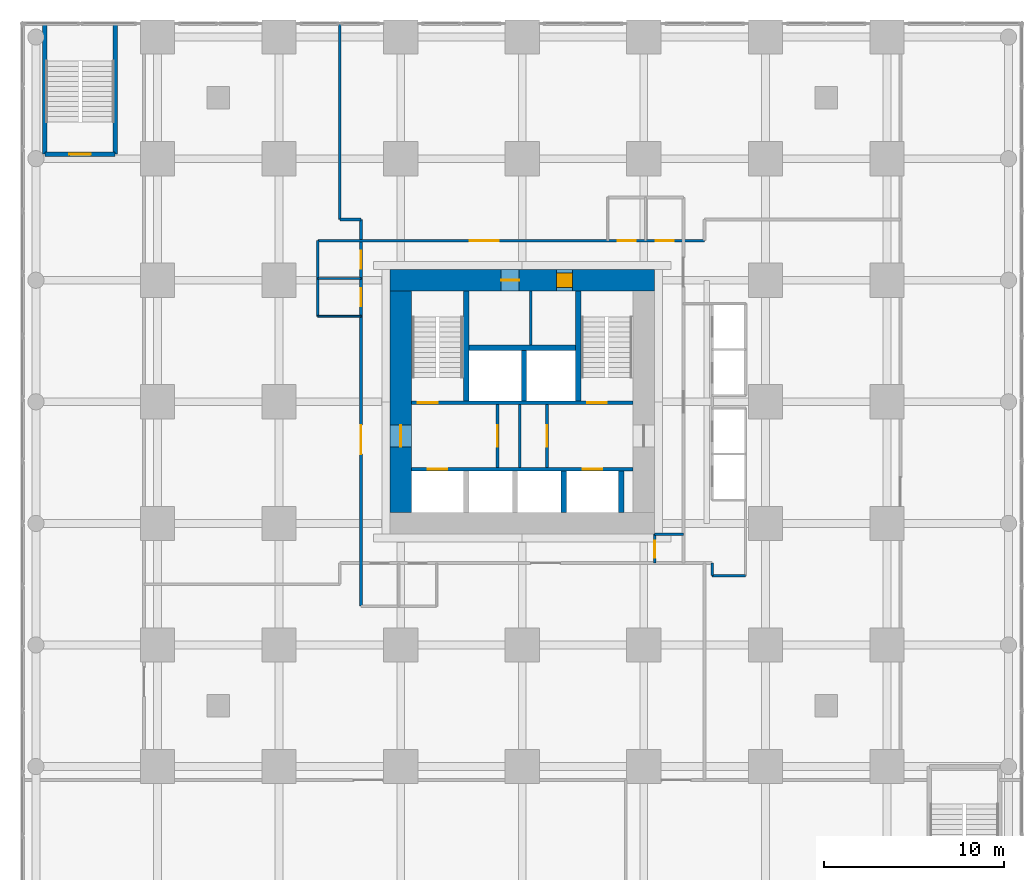
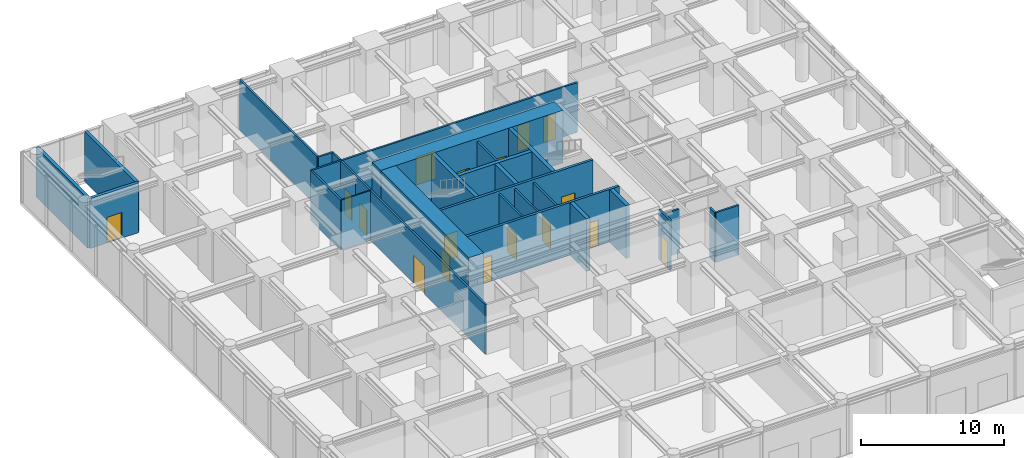
# One storey, part 9 of 11: 28 walls, 17 doors, 17 openings.
"""IFC4 building model written with IfcOpenShell, lengths in metres."""

import ifcopenshell
import ifcopenshell.guid

model = None  # the IFC model being written
_history = None  # IfcOwnerHistory: only IFC2X3 demands one
_inside = {}  # id of a spatial element -> (the spatial element, [elements in it])
_under = {}  # id of a project, library or spatial element -> (it, [spatial elements below it])
_declared = {}  # id of a project -> (the project, [libraries it declares])
_typed = {}  # id of a type object -> (the type object, [elements of that type])
_made_of = {}  # id of a material, layer set ... -> (it, [elements and type objects made of it])


def new_model(schema):
    """Start an empty IFC model of exactly this schema.

    Asked for "IFC4X3", IfcOpenShell would pick the latest addendum, in which some entities
    have other attributes; the version numbers below select the first issue.
    IFC2X3 requires an IfcOwnerHistory on every rooted entity: one is made here for all.
    """
    global model, _history
    if schema == "IFC4X3":
        model = ifcopenshell.file(schema_version=(4, 3, 0, 0))
    else:
        model = ifcopenshell.file(schema=schema)
    _inside.clear()
    _under.clear()
    _declared.clear()
    _typed.clear()
    _made_of.clear()
    _history = None
    if model.schema == "IFC2X3":
        org = make("IfcOrganization", Name="unknown")
        user = make(
            "IfcPersonAndOrganization",
            ThePerson=make("IfcPerson", FamilyName="unknown"),
            TheOrganization=org,
        )
        app = make(
            "IfcApplication",
            ApplicationDeveloper=org,
            Version="unknown",
            ApplicationFullName="unknown",
            ApplicationIdentifier="unknown",
        )
        _history = make(
            "IfcOwnerHistory",
            OwningUser=user,
            OwningApplication=app,
            ChangeAction="ADDED",
            CreationDate=0,
        )
    return model


def make(cls, **values):
    """One entity of the class cls with the attributes given. An attribute that is None is left unset."""
    return model.create_entity(
        cls, **{name: value for name, value in values.items() if value is not None}
    )


def rooted(cls, **values):
    """An entity with a GlobalId (a new one), such as an element, a storey or a relation."""
    return make(cls, GlobalId=ifcopenshell.guid.new(), OwnerHistory=_history, **values)


def si_unit(unit_type, name, prefix=None):
    """IfcSIUnit, for example si_unit("LENGTHUNIT", "METRE", prefix="MILLI")."""
    return make("IfcSIUnit", UnitType=unit_type, Prefix=prefix, Name=name)


def assignment(units):
    """IfcUnitAssignment: the units of a project."""
    return None if units is None else make("IfcUnitAssignment", Units=units)


def point(xyz):
    """IfcCartesianPoint."""
    return None if xyz is None else make("IfcCartesianPoint", Coordinates=xyz)


def direction(xyz):
    """IfcDirection."""
    return None if xyz is None else make("IfcDirection", DirectionRatios=xyz)


def frame(location, z_axis=None, x_axis=None):
    """IfcAxis2Placement3D, a coordinate frame: its origin and axes. An axis left out is left unset."""
    return make(
        "IfcAxis2Placement3D",
        Location=point(location),
        Axis=direction(z_axis),
        RefDirection=direction(x_axis),
    )


def frame_2d(location, x_axis=None):
    """IfcAxis2Placement2D, a coordinate frame in the plane: its origin and x axis."""
    return make(
        "IfcAxis2Placement2D", Location=point(location), RefDirection=direction(x_axis)
    )


def origin():
    """The frame at (0, 0, 0) with its axes left unset."""
    return frame((0.0, 0.0, 0.0))


def place(relative_to, where):
    """IfcLocalPlacement: puts the frame where relative to a parent placement (None: the world)."""
    return make(
        "IfcLocalPlacement", PlacementRelTo=relative_to, RelativePlacement=where
    )


def context(
    kind, dimensions, precision=None, world=None, true_north=None, identifier=None
):
    """IfcGeometricRepresentationContext, for example the 3D "Model" context."""
    return make(
        "IfcGeometricRepresentationContext",
        ContextIdentifier=identifier,
        ContextType=kind,
        CoordinateSpaceDimension=dimensions,
        Precision=precision,
        WorldCoordinateSystem=world,
        TrueNorth=true_north,
    )


def subcontext(parent, identifier, kind, view, scale=None):
    """IfcGeometricRepresentationSubContext, for example "Body" below "Model"."""
    return make(
        "IfcGeometricRepresentationSubContext",
        ContextIdentifier=identifier,
        ContextType=kind,
        ParentContext=parent,
        TargetScale=scale,
        TargetView=view,
    )


def project(units=None, contexts=None):
    """IfcProject with its units and contexts."""
    return rooted(
        "IfcProject",
        Name="project",
        RepresentationContexts=contexts,
        UnitsInContext=assignment(units),
    )


def spatial(cls, under=None, at=None, **own):
    """A site, building, storey or space (cls), placed at a placement, below another one or the project."""
    s = rooted(cls, ObjectPlacement=at, **own)
    if under is not None:
        _under.setdefault(under.id(), (under, []))[1].append(s)
    return s


def profile(cls, at=None, kind="AREA", **sizes):
    """A parametric profile (cls). Its sizes go by their IFC names, for example OverallWidth=200.0."""
    return make(cls, ProfileType=kind, Position=at, **sizes)


def rectangle(**sizes):
    """IfcRectangleProfileDef."""
    return profile("IfcRectangleProfileDef", **sizes)


def extrude(swept, where, along, depth):
    """IfcExtrudedAreaSolid: the profile swept, set in the frame where, extruded along a direction by depth."""
    return make(
        "IfcExtrudedAreaSolid",
        SweptArea=swept,
        Position=where,
        ExtrudedDirection=direction(along),
        Depth=depth,
    )


def shape(context_of_items, identifier, shape_type, items):
    """IfcShapeRepresentation: the items that make up one representation, for example the "Body"."""
    return make(
        "IfcShapeRepresentation",
        ContextOfItems=context_of_items,
        RepresentationIdentifier=identifier,
        RepresentationType=shape_type,
        Items=items,
    )


def material(Name=None, Category=None):
    """IfcMaterial."""
    return make("IfcMaterial", Name=Name, Category=Category)


def layer(
    of_material, thickness, ventilated=None, Name=None, Category=None, Priority=None
):
    """IfcMaterialLayer: one layer of a wall or slab, of a material (None: an air gap)."""
    return make(
        "IfcMaterialLayer",
        Material=of_material,
        LayerThickness=thickness,
        IsVentilated=ventilated,
        Name=Name,
        Category=Category,
        Priority=Priority,
    )


def layer_set(layers, Name=None):
    """IfcMaterialLayerSet."""
    return make("IfcMaterialLayerSet", MaterialLayers=layers, LayerSetName=Name)


def made_of(thing, what):
    """Note that an element or type object is made of a material, layer set ...; save() writes the relation."""
    if what is not None:
        _made_of.setdefault(what.id(), (what, []))[1].append(thing)
    return thing


def type_object(cls, material=None, **own):
    """A type object (cls), such as IfcWallType, which elements share."""
    return made_of(rooted(cls, **own), material)


def element(
    cls,
    number,
    at=None,
    inside=None,
    cuts=None,
    type_object=None,
    material=None,
    context=None,
    identifier="Body",
    shape_type=None,
    held_by="IfcProductDefinitionShape",
    body=None,
    shapes=None,
    **own,
):
    """One element of the class cls, such as IfcWall. Its Tag is "e" and its number.

    at: its placement. inside: the storey or other place that contains it. cuts: it is an
    opening in that element (IfcRelVoidsElement). A single representation is given by context,
    identifier, shape_type and body (its items); several are given by shapes. held_by: the class
    of the entity that holds the representations. save() writes the other relations.
    """
    e = rooted(cls, Tag="e%d" % number, ObjectPlacement=at, **own)
    if body is not None:
        shapes = [shape(context, identifier, shape_type, body)]
    if shapes is not None:
        e.Representation = make(held_by, Representations=shapes)
    if inside is not None:
        _inside.setdefault(inside.id(), (inside, []))[1].append(e)
    if cuts is not None:
        rooted(
            "IfcRelVoidsElement", RelatingBuildingElement=cuts, RelatedOpeningElement=e
        )
    if type_object is not None:
        _typed.setdefault(type_object.id(), (type_object, []))[1].append(e)
    return made_of(e, material)


def fill(opening, filler):
    """IfcRelFillsElement: the door or window that sits in an opening."""
    return rooted(
        "IfcRelFillsElement",
        RelatingOpeningElement=opening,
        RelatedBuildingElement=filler,
    )


def aggregate(whole, parts):
    """IfcRelAggregates: a whole, such as a stair, and the parts it consists of."""
    return rooted("IfcRelAggregates", RelatingObject=whole, RelatedObjects=parts)


def save(model, path):
    """Write the relations noted so far, then the file.

    IfcRelAggregates (storeys below a building ...), IfcRelContainedInSpatialStructure (elements
    in a storey), IfcRelDefinesByType, IfcRelAssociatesMaterial and IfcRelDeclares: one each for
    every whole, place, type object, material and project.
    """
    for whole, parts in _under.values():
        aggregate(whole, parts)
    for where, things in _inside.values():
        rooted(
            "IfcRelContainedInSpatialStructure",
            RelatedElements=things,
            RelatingStructure=where,
        )
    for kind, things in _typed.values():
        rooted("IfcRelDefinesByType", RelatedObjects=things, RelatingType=kind)
    for what, things in _made_of.values():
        rooted("IfcRelAssociatesMaterial", RelatedObjects=things, RelatingMaterial=what)
    for by, libraries in _declared.values():
        rooted("IfcRelDeclares", RelatingContext=by, RelatedDefinitions=libraries)
    model.write(path)


model = new_model("IFC4")

# Units and contexts
model_context = context("Model", 3, precision=1e-05, world=origin(), true_north=direction((0.0, 1.0)))
body_context = subcontext(model_context, "Body", "Model", "MODEL_VIEW")
ifc_project = project(units=[si_unit("LENGTHUNIT", "METRE"), si_unit("AREAUNIT", "SQUARE_METRE"), si_unit("VOLUMEUNIT", "CUBIC_METRE"), si_unit("PLANEANGLEUNIT", "RADIAN"), si_unit("MASSUNIT", "GRAM", prefix="KILO")], contexts=[model_context])

# Site, building, storey
site_placement = place(None, origin())
site = spatial("IfcSite", under=ifc_project, at=site_placement, CompositionType="ELEMENT")
building_placement = place(site_placement, origin())
building = spatial("IfcBuilding", under=site, at=building_placement, Name="Nyansa Garden Tower", CompositionType="ELEMENT")
storey_placement = place(building_placement, frame((0.0, 0.0, 4.5)))
storey = spatial("IfcBuildingStorey", under=building, at=storey_placement, Name="L01", CompositionType="ELEMENT", Elevation=4.5)

# Wall, openings, doors
ifc_material_1 = material(Name="Concrete C70/85", Category="concrete")
ifc_layer_1 = layer(ifc_material_1, 0.199951171875)
ifc_layer_set_1 = layer_set([ifc_layer_1], Name="Core inner wall CI200")
wall_type_1 = type_object("IfcWallType", Name="Core inner wall CI200", PredefinedType="SHEAR", material=ifc_layer_set_1)
wall_1_placement = place(storey_placement, frame((14.10009765625, 16.5, 0.0), z_axis=(0.0, 0.0, 1.0), x_axis=(1.0, 0.0, 0.0)))
wall_1 = element("IfcWall", 1, at=wall_1_placement, inside=storey, type_object=wall_type_1, Name="Core inner wall L01", PredefinedType="SHEAR", context=body_context, shape_type="SweptSolid", body=[
    extrude(rectangle(XDim=12.2998046875, YDim=0.199951171875, at=frame_2d((6.14990234375, 0.0))), origin(), (0.0, 0.0, 1.0), 4.5),
])
opening_1_placement = place(wall_1_placement, frame((0.89990234375, 0.0, 0.0)))
opening_1 = element("IfcOpeningElement", 2, at=opening_1_placement, cuts=wall_1, Name="Opening LD-F", PredefinedType="OPENING", context=body_context, shape_type="SweptSolid", body=[
    extrude(rectangle(XDim=1.10009765625, YDim=2.199951171875, at=frame_2d((0.550048828125, 1.10009765625))), frame((0.0, 0.10986328125, 0.0), z_axis=(0.0, -1.0, 0.0), x_axis=(1.0, 0.0, 0.0)), (0.0, 0.0, 1.0), 0.219970703125),
])
opening_2_placement = place(wall_1_placement, frame((9.5, 0.0, 0.0)))
opening_2 = element("IfcOpeningElement", 3, at=opening_2_placement, cuts=wall_1, Name="Opening LD-F", PredefinedType="OPENING", context=body_context, shape_type="SweptSolid", body=[
    extrude(rectangle(XDim=1.10009765625, YDim=2.199951171875, at=frame_2d((0.550048828125, 1.10009765625))), frame((0.0, 0.10986328125, 0.0), z_axis=(0.0, -1.0, 0.0), x_axis=(1.0, 0.0, 0.0)), (0.0, 0.0, 1.0), 0.219970703125),
])
ifc_material_2 = material(Name="Stainless steel centre-opening landing door of the firefighting lift, EN 81-72, E 120", Category="steel")
door_type_1 = type_object("IfcDoorType", Name="Lift landing door LD-F 1100x2200", OperationType="DOUBLE_DOOR_SLIDING", PredefinedType="DOOR", material=ifc_material_2)
door_1_placement = place(opening_1_placement, origin())
door_1 = element("IfcDoor", 4, at=door_1_placement, inside=storey, type_object=door_type_1, Name="Landing door FF1", OperationType="DOUBLE_DOOR_SLIDING", OverallHeight=2.199951171875, OverallWidth=1.10009765625, PredefinedType="DOOR", context=body_context, shape_type="SweptSolid", body=[
    extrude(rectangle(XDim=1.10009765625, YDim=2.199951171875, at=frame_2d((0.550048828125, 1.10009765625))), frame((0.0, 0.02490234375, 0.0), z_axis=(0.0, -1.0, 0.0), x_axis=(1.0, 0.0, 0.0)), (0.0, 0.0, 1.0), 0.050048828125),
])
fill(opening_1, door_1)
door_2_placement = place(opening_2_placement, origin())
door_2 = element("IfcDoor", 5, at=door_2_placement, inside=storey, type_object=door_type_1, Name="Landing door FF2", OperationType="DOUBLE_DOOR_SLIDING", OverallHeight=2.199951171875, OverallWidth=1.10009765625, PredefinedType="DOOR", context=body_context, shape_type="SweptSolid", body=[
    extrude(rectangle(XDim=1.10009765625, YDim=2.199951171875, at=frame_2d((0.550048828125, 1.10009765625))), frame((0.0, 0.02490234375, 0.0), z_axis=(0.0, -1.0, 0.0), x_axis=(1.0, 0.0, 0.0)), (0.0, 0.0, 1.0), 0.050048828125),
])
fill(opening_2, door_2)

wall_2_placement = place(storey_placement, frame((14.10009765625, 20.199951171875, 0.0), z_axis=(0.0, 0.0, 1.0), x_axis=(1.0, 0.0, 0.0)))
wall_2 = element("IfcWall", 6, at=wall_2_placement, inside=storey, type_object=wall_type_1, Name="Core inner wall L01", PredefinedType="SHEAR", context=body_context, shape_type="SweptSolid", body=[
    extrude(rectangle(XDim=12.2998046875, YDim=0.199951171875, at=frame_2d((6.14990234375, 0.0))), origin(), (0.0, 0.0, 1.0), 4.5),
])
opening_3_placement = place(wall_2_placement, frame((0.35009765625, 0.0, 0.0)))
opening_3 = element("IfcOpeningElement", 7, at=opening_3_placement, cuts=wall_2, Name="Opening D05", PredefinedType="OPENING", context=body_context, shape_type="SweptSolid", body=[
    extrude(rectangle(XDim=1.10009765625, YDim=2.199951171875, at=frame_2d((0.550048828125, 1.10009765625))), frame((0.0, 0.10986328125, 0.0), z_axis=(0.0, -1.0, 0.0), x_axis=(1.0, 0.0, 0.0)), (0.0, 0.0, 1.0), 0.219970703125),
])
opening_4_placement = place(wall_2_placement, frame((9.75, 0.0, 0.0)))
opening_4 = element("IfcOpeningElement", 8, at=opening_4_placement, cuts=wall_2, Name="Opening D05", PredefinedType="OPENING", context=body_context, shape_type="SweptSolid", body=[
    extrude(rectangle(XDim=1.10009765625, YDim=2.199951171875, at=frame_2d((0.550048828125, 1.10009765625))), frame((0.0, 0.10986328125, 0.0), z_axis=(0.0, -1.0, 0.0), x_axis=(1.0, 0.0, 0.0)), (0.0, 0.0, 1.0), 0.219970703125),
])
ifc_material_3 = material(Name="Steel door, 120 minute fire resisting", Category="steel")
door_type_2 = type_object("IfcDoorType", Name="Stair door D05 1100x2200", OperationType="SINGLE_SWING_LEFT", PredefinedType="DOOR", material=ifc_material_3)
door_3_placement = place(opening_3_placement, origin())
door_3 = element("IfcDoor", 9, at=door_3_placement, inside=storey, type_object=door_type_2, Name="Stair S1 door", OperationType="SINGLE_SWING_LEFT", OverallHeight=2.199951171875, OverallWidth=1.10009765625, PredefinedType="DOOR", context=body_context, shape_type="SweptSolid", body=[
    extrude(rectangle(XDim=1.10009765625, YDim=2.199951171875, at=frame_2d((0.550048828125, 1.10009765625))), frame((0.0, 0.02490234375, 0.0), z_axis=(0.0, -1.0, 0.0), x_axis=(1.0, 0.0, 0.0)), (0.0, 0.0, 1.0), 0.050048828125),
])
fill(opening_3, door_3)
door_4_placement = place(opening_4_placement, origin())
door_4 = element("IfcDoor", 10, at=door_4_placement, inside=storey, type_object=door_type_2, Name="Stair S2 door", OperationType="SINGLE_SWING_LEFT", OverallHeight=2.199951171875, OverallWidth=1.10009765625, PredefinedType="DOOR", context=body_context, shape_type="SweptSolid", body=[
    extrude(rectangle(XDim=1.10009765625, YDim=2.199951171875, at=frame_2d((0.550048828125, 1.10009765625))), frame((0.0, 0.02490234375, 0.0), z_axis=(0.0, -1.0, 0.0), x_axis=(1.0, 0.0, 0.0)), (0.0, 0.0, 1.0), 0.050048828125),
])
fill(opening_4, door_4)

# Walls
ifc_material_4 = material(Name="Concrete C70/85", Category="concrete")
ifc_layer_2 = layer(ifc_material_4, 0.300048828125)
ifc_layer_set_2 = layer_set([ifc_layer_2], Name="Core inner wall CI300")
wall_type_2 = type_object("IfcWallType", Name="Core inner wall CI300", PredefinedType="SHEAR", material=ifc_layer_set_2)
for number, where, z_axis, x_axis, name in (
    (11, (17.14990234375, 20.300048828125, 0.0), (0.0, 0.0, 1.0), (0.0, 1.0, 0.0), "Core inner wall L01"),
    (12, (23.35009765625, 20.300048828125, 0.0), (0.0, 0.0, 1.0), (0.0, 1.0, 0.0), "Core inner wall L01"),
):
    element("IfcWall", number, at=place(storey_placement, frame(where, z_axis=z_axis, x_axis=x_axis)), inside=storey, type_object=wall_type_2, Name=name, PredefinedType="SHEAR", context=body_context, shape_type="SweptSolid", body=[
        extrude(rectangle(XDim=6.099853515625, YDim=0.300048828125, at=frame_2d((3.0498046875, 0.0))), origin(), (0.0, 0.0, 1.0), 4.5),
    ])
wall_3_placement = place(storey_placement, frame((20.35009765625, 20.300048828125, 0.0), z_axis=(0.0, 0.0, 1.0), x_axis=(0.0, 1.0, 0.0)))
element("IfcWall", 13, at=wall_3_placement, inside=storey, type_object=wall_type_2, Name="Core inner wall L01", PredefinedType="SHEAR", context=body_context, shape_type="SweptSolid", body=[
    extrude(rectangle(XDim=2.800048828125, YDim=0.300048828125, at=frame_2d((1.39990234375, 0.0))), origin(), (0.0, 0.0, 1.0), 4.5),
])
wall_4_placement = place(storey_placement, frame((17.300048828125, 23.25, 0.0), z_axis=(0.0, 0.0, 1.0), x_axis=(1.0, 0.0, 0.0)))
element("IfcWall", 14, at=wall_4_placement, inside=storey, type_object=wall_type_2, Name="Core inner wall L01", PredefinedType="SHEAR", context=body_context, shape_type="SweptSolid", body=[
    extrude(rectangle(XDim=5.89990234375, YDim=0.300048828125, at=frame_2d((2.949951171875, 0.0))), origin(), (0.0, 0.0, 1.0), 4.5),
])
for number, where, z_axis, x_axis, name in (
    (15, (22.550048828125, 14.10009765625, 0.0), (0.0, 0.0, 1.0), (0.0, 1.0, 0.0), "Core inner wall L01"),
    (16, (25.75, 14.10009765625, 0.0), (0.0, 0.0, 1.0), (0.0, 1.0, 0.0), "Core inner wall L01"),
):
    element("IfcWall", number, at=place(storey_placement, frame(where, z_axis=z_axis, x_axis=x_axis)), inside=storey, type_object=wall_type_2, Name=name, PredefinedType="SHEAR", context=body_context, shape_type="SweptSolid", body=[
        extrude(rectangle(XDim=2.2998046875, YDim=0.300048828125, at=frame_2d((1.14990234375, 0.0))), origin(), (0.0, 0.0, 1.0), 4.5),
    ])

# Wall, openings, doors
ifc_material_5 = material(Name="Concrete C80/95", Category="concrete")
ifc_layer_3 = layer(ifc_material_5, 1.199951171875)
ifc_layer_set_3 = layer_set([ifc_layer_3], Name="Core wall CW1200")
wall_type_3 = type_object("IfcWallType", Name="Core wall CW1200", PredefinedType="SHEAR", material=ifc_layer_set_3)
wall_5_placement = place(storey_placement, frame((27.60009765625, 27.0, 0.0), z_axis=(0.0, 0.0, 1.0), x_axis=(-1.0, 0.0, 0.0)))
wall_5 = element("IfcWall", 17, at=wall_5_placement, inside=storey, type_object=wall_type_3, Name="Core wall N L01", PredefinedType="SHEAR", context=body_context, shape_type="SweptSolid", body=[
    extrude(rectangle(XDim=14.7001953125, YDim=1.199951171875, at=frame_2d((7.35009765625, 0.0))), origin(), (0.0, 0.0, 1.0), 4.5),
])
opening_5_placement = place(wall_5_placement, frame((4.550048828125, 0.0, 0.0)))
opening_5 = element("IfcOpeningElement", 18, at=opening_5_placement, cuts=wall_5, Name="Opening D15", PredefinedType="OPENING", context=body_context, shape_type="SweptSolid", body=[
    extrude(rectangle(XDim=0.89990234375, YDim=2.199951171875, at=frame_2d((0.449951171875, 1.10009765625))), frame((0.0, 0.60986328125, 0.0), z_axis=(0.0, -1.0, 0.0), x_axis=(1.0, 0.0, 0.0)), (0.0, 0.0, 1.0), 1.219970703125),
])
opening_6_placement = place(wall_5_placement, frame((7.52490234375, 0.0, 0.0)))
opening_6 = element("IfcOpeningElement", 19, at=opening_6_placement, cuts=wall_5, Name="Opening D07", PredefinedType="OPENING", context=body_context, shape_type="SweptSolid", body=[
    extrude(rectangle(XDim=1.0, YDim=2.199951171875, at=frame_2d((0.5, 1.10009765625))), frame((0.0, 0.60986328125, 0.0), z_axis=(0.0, -1.0, 0.0), x_axis=(1.0, 0.0, 0.0)), (0.0, 0.0, 1.0), 1.219970703125),
])
ifc_material_6 = material(Name="Timber flush door, 60 minute fire resisting, self-closing", Category="wood")
door_type_3 = type_object("IfcDoorType", Name="Core room door D15 900x2200", OperationType="SINGLE_SWING_LEFT", PredefinedType="DOOR", material=ifc_material_6)
door_5_placement = place(opening_5_placement, origin())
door_5 = element("IfcDoor", 20, at=door_5_placement, inside=storey, type_object=door_type_3, Name="Core room door", OperationType="SINGLE_SWING_LEFT", OverallHeight=2.199951171875, OverallWidth=0.89990234375, PredefinedType="DOOR", context=body_context, shape_type="SweptSolid", body=[
    extrude(rectangle(XDim=0.89990234375, YDim=2.199951171875, at=frame_2d((0.449951171875, 1.10009765625))), frame((0.0, 0.39990234375, 0.0), z_axis=(0.0, -1.0, 0.0), x_axis=(1.0, 0.0, 0.0)), (0.0, 0.0, 1.0), 0.800048828125),
])
fill(opening_5, door_5)
ifc_material_7 = material(Name="Steel door, 120 minute fire resisting", Category="steel")
door_type_4 = type_object("IfcDoorType", Name="Riser door D07 1000x2200", OperationType="SINGLE_SWING_LEFT", PredefinedType="DOOR", material=ifc_material_7)
door_6_placement = place(opening_6_placement, origin())
door_6 = element("IfcDoor", 21, at=door_6_placement, inside=storey, type_object=door_type_4, Name="Riser and refuse room door", OperationType="SINGLE_SWING_LEFT", OverallHeight=2.199951171875, OverallWidth=1.0, PredefinedType="DOOR", context=body_context, shape_type="SweptSolid", body=[
    extrude(rectangle(XDim=1.0, YDim=2.199951171875, at=frame_2d((0.5, 1.10009765625))), frame((0.0, 0.02490234375, 0.0), z_axis=(0.0, -1.0, 0.0), x_axis=(1.0, 0.0, 0.0)), (0.0, 0.0, 1.0), 0.050048828125),
])
fill(opening_6, door_6)

# Wall, opening, door
wall_6_placement = place(storey_placement, frame((13.5, 26.39990234375, 0.0), z_axis=(0.0, 0.0, 1.0), x_axis=(0.0, -1.0, 0.0)))
wall_6 = element("IfcWall", 22, at=wall_6_placement, inside=storey, type_object=wall_type_3, Name="Core wall W L01", PredefinedType="SHEAR", context=body_context, shape_type="SweptSolid", body=[
    extrude(rectangle(XDim=12.2998046875, YDim=1.199951171875, at=frame_2d((6.14990234375, 0.0))), origin(), (0.0, 0.0, 1.0), 4.5),
])
opening_7_placement = place(wall_6_placement, frame((7.449951171875, 0.0, 0.0)))
opening_7 = element("IfcOpeningElement", 23, at=opening_7_placement, cuts=wall_6, Name="Opening D06", PredefinedType="OPENING", context=body_context, shape_type="SweptSolid", body=[
    extrude(rectangle(XDim=1.199951171875, YDim=2.199951171875, at=frame_2d((0.60009765625, 1.10009765625))), frame((0.0, 0.60986328125, 0.0), z_axis=(0.0, -1.0, 0.0), x_axis=(1.0, 0.0, 0.0)), (0.0, 0.0, 1.0), 1.219970703125),
])
ifc_material_8 = material(Name="Steel door, 120 minute fire resisting", Category="steel")
door_type_5 = type_object("IfcDoorType", Name="Lobby door D06 1200x2200", OperationType="DOUBLE_DOOR_SINGLE_SWING", PredefinedType="DOOR", material=ifc_material_8)
door_7_placement = place(opening_7_placement, origin())
door_7 = element("IfcDoor", 24, at=door_7_placement, inside=storey, type_object=door_type_5, Name="Lift lobby door west", OperationType="DOUBLE_DOOR_SINGLE_SWING", OverallHeight=2.199951171875, OverallWidth=1.199951171875, PredefinedType="DOOR", context=body_context, shape_type="SweptSolid", body=[
    extrude(rectangle(XDim=1.199951171875, YDim=2.199951171875, at=frame_2d((0.60009765625, 1.10009765625))), frame((0.0, 0.02490234375, 0.0), z_axis=(0.0, -1.0, 0.0), x_axis=(1.0, 0.0, 0.0)), (0.0, 0.0, 1.0), 0.050048828125),
])
fill(opening_7, door_7)

ifc_material_9 = material(Name="Blockwork, plastered both sides", Category="masonry")
ifc_layer_4 = layer(ifc_material_9, 0.14990234375)
ifc_layer_set_4 = layer_set([ifc_layer_4], Name="Partition PW150")
wall_type_4 = type_object("IfcWallType", Name="Partition PW150", PredefinedType="PARTITIONING", material=ifc_layer_set_4)
wall_7_placement = place(storey_placement, frame((18.875, 16.60009765625, 0.0), z_axis=(0.0, 0.0, 1.0), x_axis=(0.0, 1.0, 0.0)))
wall_7 = element("IfcWall", 25, at=wall_7_placement, inside=storey, type_object=wall_type_4, Name="Partition", PredefinedType="PARTITIONING", context=body_context, shape_type="SweptSolid", body=[
    extrude(rectangle(XDim=3.5, YDim=0.14990234375, at=frame_2d((1.75, 0.0))), origin(), (0.0, 0.0, 1.0), 4.25),
])
opening_8_placement = place(wall_7_placement, frame((1.14990234375, 0.0, 0.0)))
opening_8 = element("IfcOpeningElement", 26, at=opening_8_placement, cuts=wall_7, Name="Opening D06", PredefinedType="OPENING", context=body_context, shape_type="SweptSolid", body=[
    extrude(rectangle(XDim=1.199951171875, YDim=2.199951171875, at=frame_2d((0.60009765625, 1.10009765625))), frame((0.0, 0.0849609375, 0.0), z_axis=(0.0, -1.0, 0.0), x_axis=(1.0, 0.0, 0.0)), (0.0, 0.0, 1.0), 0.169921875),
])
door_8_placement = place(opening_8_placement, origin())
door_8 = element("IfcDoor", 27, at=door_8_placement, inside=storey, type_object=door_type_5, Name="Passenger lift lobby door", OperationType="DOUBLE_DOOR_SINGLE_SWING", OverallHeight=2.199951171875, OverallWidth=1.199951171875, PredefinedType="DOOR", context=body_context, shape_type="SweptSolid", body=[
    extrude(rectangle(XDim=1.199951171875, YDim=2.199951171875, at=frame_2d((0.60009765625, 1.10009765625))), frame((0.0, 0.02490234375, 0.0), z_axis=(0.0, -1.0, 0.0), x_axis=(1.0, 0.0, 0.0)), (0.0, 0.0, 1.0), 0.050048828125),
])
fill(opening_8, door_8)

wall_8_placement = place(storey_placement, frame((21.625, 16.60009765625, 0.0), z_axis=(0.0, 0.0, 1.0), x_axis=(0.0, 1.0, 0.0)))
wall_8 = element("IfcWall", 28, at=wall_8_placement, inside=storey, type_object=wall_type_4, Name="Partition", PredefinedType="PARTITIONING", context=body_context, shape_type="SweptSolid", body=[
    extrude(rectangle(XDim=3.5, YDim=0.14990234375, at=frame_2d((1.75, 0.0))), origin(), (0.0, 0.0, 1.0), 4.25),
])
opening_9_placement = place(wall_8_placement, frame((1.14990234375, 0.0, 0.0)))
opening_9 = element("IfcOpeningElement", 29, at=opening_9_placement, cuts=wall_8, Name="Opening D06", PredefinedType="OPENING", context=body_context, shape_type="SweptSolid", body=[
    extrude(rectangle(XDim=1.199951171875, YDim=2.199951171875, at=frame_2d((0.60009765625, 1.10009765625))), frame((0.0, 0.0849609375, 0.0), z_axis=(0.0, -1.0, 0.0), x_axis=(1.0, 0.0, 0.0)), (0.0, 0.0, 1.0), 0.169921875),
])
door_9_placement = place(opening_9_placement, origin())
door_9 = element("IfcDoor", 30, at=door_9_placement, inside=storey, type_object=door_type_5, Name="Passenger lift lobby door", OperationType="DOUBLE_DOOR_SINGLE_SWING", OverallHeight=2.199951171875, OverallWidth=1.199951171875, PredefinedType="DOOR", context=body_context, shape_type="SweptSolid", body=[
    extrude(rectangle(XDim=1.199951171875, YDim=2.199951171875, at=frame_2d((0.60009765625, 1.10009765625))), frame((0.0, 0.02490234375, 0.0), z_axis=(0.0, -1.0, 0.0), x_axis=(1.0, 0.0, 0.0)), (0.0, 0.0, 1.0), 0.050048828125),
])
fill(opening_9, door_9)

# Walls
wall_9_placement = place(storey_placement, frame((20.1201171875, 16.60009765625, 0.0), z_axis=(0.0, 0.0, 1.0), x_axis=(0.0, 1.0, 0.0)))
element("IfcWall", 31, at=wall_9_placement, inside=storey, type_object=wall_type_4, Name="Partition", PredefinedType="PARTITIONING", context=body_context, shape_type="SweptSolid", body=[
    extrude(rectangle(XDim=3.5, YDim=0.14990234375, at=frame_2d((1.75, 0.0))), origin(), (0.0, 0.0, 1.0), 4.25),
])
wall_10_placement = place(storey_placement, frame((20.72509765625, 23.39990234375, 0.0), z_axis=(0.0, 0.0, 1.0), x_axis=(0.0, 1.0, 0.0)))
element("IfcWall", 32, at=wall_10_placement, inside=storey, type_object=wall_type_4, Name="Partition", PredefinedType="PARTITIONING", context=body_context, shape_type="SweptSolid", body=[
    extrude(rectangle(XDim=3.0, YDim=0.14990234375, at=frame_2d((1.5, 0.0))), origin(), (0.0, 0.0, 1.0), 4.25),
])
wall_11_placement = place(storey_placement, frame((8.89990234375, 25.0, 0.0), z_axis=(0.0, 0.0, 1.0), x_axis=(0.0, 1.0, 0.0)))
element("IfcWall", 33, at=wall_11_placement, inside=storey, type_object=wall_type_4, Name="Partition", PredefinedType="PARTITIONING", context=body_context, shape_type="SweptSolid", body=[
    extrude(rectangle(XDim=4.199951171875, YDim=0.14990234375, at=frame_2d((2.10009765625, 0.0))), origin(), (0.0, 0.0, 1.0), 4.25),
])

# Wall, openings, doors
wall_12_placement = place(storey_placement, frame((8.89990234375, 29.199951171875, 0.0), z_axis=(0.0, 0.0, 1.0), x_axis=(1.0, 0.0, 0.0)))
wall_12 = element("IfcWall", 34, at=wall_12_placement, inside=storey, type_object=wall_type_4, Name="Partition", PredefinedType="PARTITIONING", context=body_context, shape_type="SweptSolid", body=[
    extrude(rectangle(XDim=21.47509765625, YDim=0.14990234375, at=frame_2d((10.737548828125, 0.0))), origin(), (0.0, 0.0, 1.0), 4.25),
])
opening_10_placement = place(wall_12_placement, frame((16.64990234375, 0.0, 0.0)))
opening_10 = element("IfcOpeningElement", 35, at=opening_10_placement, cuts=wall_12, Name="Opening D08", PredefinedType="OPENING", context=body_context, shape_type="SweptSolid", body=[
    extrude(rectangle(XDim=1.0, YDim=2.199951171875, at=frame_2d((0.5, 1.10009765625))), frame((0.0, 0.0849609375, 0.0), z_axis=(0.0, -1.0, 0.0), x_axis=(1.0, 0.0, 0.0)), (0.0, 0.0, 1.0), 0.169921875),
])
opening_11_placement = place(wall_12_placement, frame((18.75, 0.0, 0.0)))
opening_11 = element("IfcOpeningElement", 36, at=opening_11_placement, cuts=wall_12, Name="Opening D08", PredefinedType="OPENING", context=body_context, shape_type="SweptSolid", body=[
    extrude(rectangle(XDim=1.0, YDim=2.199951171875, at=frame_2d((0.5, 1.10009765625))), frame((0.0, 0.0849609375, 0.0), z_axis=(0.0, -1.0, 0.0), x_axis=(1.0, 0.0, 0.0)), (0.0, 0.0, 1.0), 0.169921875),
])
opening_12_placement = place(wall_12_placement, frame((8.449951171875, 0.0, 0.0)))
opening_12 = element("IfcOpeningElement", 37, at=opening_12_placement, cuts=wall_12, Name="Opening D12", PredefinedType="OPENING", context=body_context, shape_type="SweptSolid", body=[
    extrude(rectangle(XDim=1.60009765625, YDim=2.39990234375, at=frame_2d((0.800048828125, 1.199951171875))), frame((0.0, 0.0849609375, 0.0), z_axis=(0.0, -1.0, 0.0), x_axis=(1.0, 0.0, 0.0)), (0.0, 0.0, 1.0), 0.169921875),
])
ifc_material_10 = material(Name="Timber flush door, outward opening", Category="wood")
door_type_6 = type_object("IfcDoorType", Name="Accessible WC door D08 1000x2200", OperationType="SINGLE_SWING_LEFT", PredefinedType="DOOR", material=ifc_material_10)
door_10_placement = place(opening_10_placement, origin())
door_10 = element("IfcDoor", 38, at=door_10_placement, inside=storey, type_object=door_type_6, Name="Door L01-024", OperationType="SINGLE_SWING_LEFT", OverallHeight=2.199951171875, OverallWidth=1.0, PredefinedType="DOOR", context=body_context, shape_type="SweptSolid", body=[
    extrude(rectangle(XDim=1.0, YDim=2.199951171875, at=frame_2d((0.5, 1.10009765625))), frame((0.0, 0.02490234375, 0.0), z_axis=(0.0, -1.0, 0.0), x_axis=(1.0, 0.0, 0.0)), (0.0, 0.0, 1.0), 0.050048828125),
])
fill(opening_10, door_10)
door_11_placement = place(opening_11_placement, origin())
door_11 = element("IfcDoor", 39, at=door_11_placement, inside=storey, type_object=door_type_6, Name="Door L01-025", OperationType="SINGLE_SWING_LEFT", OverallHeight=2.199951171875, OverallWidth=1.0, PredefinedType="DOOR", context=body_context, shape_type="SweptSolid", body=[
    extrude(rectangle(XDim=1.0, YDim=2.199951171875, at=frame_2d((0.5, 1.10009765625))), frame((0.0, 0.02490234375, 0.0), z_axis=(0.0, -1.0, 0.0), x_axis=(1.0, 0.0, 0.0)), (0.0, 0.0, 1.0), 0.050048828125),
])
fill(opening_11, door_11)
ifc_material_11 = material(Name="Black aluminium glazed door, 60 minute fire resisting", Category="aluminium")
door_type_7 = type_object("IfcDoorType", Name="Amenity door D12 1600x2400", OperationType="DOUBLE_DOOR_SINGLE_SWING", PredefinedType="DOOR", material=ifc_material_11)
door_12_placement = place(opening_12_placement, origin())
door_12 = element("IfcDoor", 40, at=door_12_placement, inside=storey, type_object=door_type_7, Name="Door L01-026", OperationType="DOUBLE_DOOR_SINGLE_SWING", OverallHeight=2.39990234375, OverallWidth=1.60009765625, PredefinedType="DOOR", context=body_context, shape_type="SweptSolid", body=[
    extrude(rectangle(XDim=1.60009765625, YDim=2.39990234375, at=frame_2d((0.800048828125, 1.199951171875))), frame((0.0, 0.02490234375, 0.0), z_axis=(0.0, -1.0, 0.0), x_axis=(1.0, 0.0, 0.0)), (0.0, 0.0, 1.0), 0.050048828125),
])
fill(opening_12, door_12)

# Walls
wall_13_placement = place(storey_placement, frame((10.125, 30.375, 0.0), z_axis=(0.0, 0.0, 1.0), x_axis=(0.0, 1.0, 0.0)))
element("IfcWall", 41, at=wall_13_placement, inside=storey, type_object=wall_type_4, Name="Partition", PredefinedType="PARTITIONING", context=body_context, shape_type="SweptSolid", body=[
    extrude(rectangle(XDim=10.85888671875, YDim=0.14990234375, at=frame_2d((5.429443359375, 0.0))), origin(), (0.0, 0.0, 1.0), 4.25),
])
wall_14_placement = place(storey_placement, frame((10.125, 30.375, 0.0), z_axis=(0.0, 0.0, 1.0), x_axis=(1.0, 0.0, 0.0)))
element("IfcWall", 42, at=wall_14_placement, inside=storey, type_object=wall_type_4, Name="Partition", PredefinedType="PARTITIONING", context=body_context, shape_type="SweptSolid", body=[
    extrude(rectangle(XDim=1.175048828125, YDim=0.14990234375, at=frame_2d((0.58740234375, 0.0))), origin(), (0.0, 0.0, 1.0), 4.25),
])

# Wall, openings, doors
wall_15_placement = place(storey_placement, frame((11.300048828125, 8.89990234375, 0.0), z_axis=(0.0, 0.0, 1.0), x_axis=(0.0, 1.0, 0.0)))
wall_15 = element("IfcWall", 43, at=wall_15_placement, inside=storey, type_object=wall_type_4, Name="Partition", PredefinedType="PARTITIONING", context=body_context, shape_type="SweptSolid", body=[
    extrude(rectangle(XDim=21.47509765625, YDim=0.14990234375, at=frame_2d((10.737548828125, 0.0))), origin(), (0.0, 0.0, 1.0), 4.25),
])
opening_13_placement = place(wall_15_placement, frame((16.64990234375, 0.0, 0.0)))
opening_13 = element("IfcOpeningElement", 44, at=opening_13_placement, cuts=wall_15, Name="Opening D08", PredefinedType="OPENING", context=body_context, shape_type="SweptSolid", body=[
    extrude(rectangle(XDim=1.0, YDim=2.199951171875, at=frame_2d((0.5, 1.10009765625))), frame((0.0, 0.0849609375, 0.0), z_axis=(0.0, -1.0, 0.0), x_axis=(1.0, 0.0, 0.0)), (0.0, 0.0, 1.0), 0.169921875),
])
opening_14_placement = place(wall_15_placement, frame((18.75, 0.0, 0.0)))
opening_14 = element("IfcOpeningElement", 45, at=opening_14_placement, cuts=wall_15, Name="Opening D08", PredefinedType="OPENING", context=body_context, shape_type="SweptSolid", body=[
    extrude(rectangle(XDim=1.0, YDim=2.199951171875, at=frame_2d((0.5, 1.10009765625))), frame((0.0, 0.0849609375, 0.0), z_axis=(0.0, -1.0, 0.0), x_axis=(1.0, 0.0, 0.0)), (0.0, 0.0, 1.0), 0.169921875),
])
opening_15_placement = place(wall_15_placement, frame((8.449951171875, 0.0, 0.0)))
opening_15 = element("IfcOpeningElement", 46, at=opening_15_placement, cuts=wall_15, Name="Opening D12", PredefinedType="OPENING", context=body_context, shape_type="SweptSolid", body=[
    extrude(rectangle(XDim=1.60009765625, YDim=2.39990234375, at=frame_2d((0.800048828125, 1.199951171875))), frame((0.0, 0.0849609375, 0.0), z_axis=(0.0, -1.0, 0.0), x_axis=(1.0, 0.0, 0.0)), (0.0, 0.0, 1.0), 0.169921875),
])
door_13_placement = place(opening_13_placement, origin())
door_13 = element("IfcDoor", 47, at=door_13_placement, inside=storey, type_object=door_type_6, Name="Door L01-027", OperationType="SINGLE_SWING_LEFT", OverallHeight=2.199951171875, OverallWidth=1.0, PredefinedType="DOOR", context=body_context, shape_type="SweptSolid", body=[
    extrude(rectangle(XDim=1.0, YDim=2.199951171875, at=frame_2d((0.5, 1.10009765625))), frame((0.0, 0.02490234375, 0.0), z_axis=(0.0, -1.0, 0.0), x_axis=(1.0, 0.0, 0.0)), (0.0, 0.0, 1.0), 0.050048828125),
])
fill(opening_13, door_13)
door_14_placement = place(opening_14_placement, origin())
door_14 = element("IfcDoor", 48, at=door_14_placement, inside=storey, type_object=door_type_6, Name="Door L01-028", OperationType="SINGLE_SWING_LEFT", OverallHeight=2.199951171875, OverallWidth=1.0, PredefinedType="DOOR", context=body_context, shape_type="SweptSolid", body=[
    extrude(rectangle(XDim=1.0, YDim=2.199951171875, at=frame_2d((0.5, 1.10009765625))), frame((0.0, 0.02490234375, 0.0), z_axis=(0.0, -1.0, 0.0), x_axis=(1.0, 0.0, 0.0)), (0.0, 0.0, 1.0), 0.050048828125),
])
fill(opening_14, door_14)
door_15_placement = place(opening_15_placement, origin())
door_15 = element("IfcDoor", 49, at=door_15_placement, inside=storey, type_object=door_type_7, Name="Door L01-029", OperationType="DOUBLE_DOOR_SINGLE_SWING", OverallHeight=2.39990234375, OverallWidth=1.60009765625, PredefinedType="DOOR", context=body_context, shape_type="SweptSolid", body=[
    extrude(rectangle(XDim=1.60009765625, YDim=2.39990234375, at=frame_2d((0.800048828125, 1.199951171875))), frame((0.0, 0.02490234375, 0.0), z_axis=(0.0, -1.0, 0.0), x_axis=(1.0, 0.0, 0.0)), (0.0, 0.0, 1.0), 0.050048828125),
])
fill(opening_15, door_15)

# Wall, opening, door
wall_16_placement = place(storey_placement, frame((27.60009765625, 11.300048828125, 0.0), z_axis=(0.0, 0.0, 1.0), x_axis=(0.0, 1.0, 0.0)))
wall_16 = element("IfcWall", 50, at=wall_16_placement, inside=storey, type_object=wall_type_4, Name="Partition", PredefinedType="PARTITIONING", context=body_context, shape_type="SweptSolid", body=[
    extrude(rectangle(XDim=1.599853515625, YDim=0.14990234375, at=frame_2d((0.7998046875, 0.0))), origin(), (0.0, 0.0, 1.0), 4.25),
])
opening_16_placement = place(wall_16_placement, frame((0.300048828125, 0.0, 0.0)))
opening_16 = element("IfcOpeningElement", 51, at=opening_16_placement, cuts=wall_16, Name="Opening D01", PredefinedType="OPENING", context=body_context, shape_type="SweptSolid", body=[
    extrude(rectangle(XDim=0.949951171875, YDim=2.199951171875, at=frame_2d((0.47509765625, 1.10009765625))), frame((0.0, 0.0849609375, 0.0), z_axis=(0.0, -1.0, 0.0), x_axis=(1.0, 0.0, 0.0)), (0.0, 0.0, 1.0), 0.169921875),
])
ifc_material_12 = material(Name="Timber flush door, 30 minute fire resisting", Category="wood")
door_type_8 = type_object("IfcDoorType", Name="Bedroom door D01 950x2200", OperationType="SINGLE_SWING_LEFT", PredefinedType="DOOR", material=ifc_material_12)
door_16_placement = place(opening_16_placement, origin())
door_16 = element("IfcDoor", 52, at=door_16_placement, inside=storey, type_object=door_type_8, Name="Door L01-017", OperationType="SINGLE_SWING_LEFT", OverallHeight=2.199951171875, OverallWidth=0.949951171875, PredefinedType="DOOR", context=body_context, shape_type="SweptSolid", body=[
    extrude(rectangle(XDim=0.949951171875, YDim=2.199951171875, at=frame_2d((0.47509765625, 1.10009765625))), frame((0.0, 0.02490234375, 0.0), z_axis=(0.0, -1.0, 0.0), x_axis=(1.0, 0.0, 0.0)), (0.0, 0.0, 1.0), 0.050048828125),
])
fill(opening_16, door_16)

# Walls
wall_17_placement = place(storey_placement, frame((27.60009765625, 12.89990234375, 0.0), z_axis=(0.0, 0.0, 1.0), x_axis=(1.0, 0.0, 0.0)))
element("IfcWall", 53, at=wall_17_placement, inside=storey, type_object=wall_type_4, Name="Partition", PredefinedType="PARTITIONING", context=body_context, shape_type="SweptSolid", body=[
    extrude(rectangle(XDim=1.599853515625, YDim=0.14990234375, at=frame_2d((0.7998046875, 0.0))), origin(), (0.0, 0.0, 1.0), 3.751953125),
])
wall_18_placement = place(storey_placement, frame((30.800048828125, 10.60009765625, 0.0), z_axis=(0.0, 0.0, 1.0), x_axis=(0.0, 1.0, 0.0)))
element("IfcWall", 54, at=wall_18_placement, inside=storey, type_object=wall_type_4, Name="Partition", PredefinedType="PARTITIONING", context=body_context, shape_type="SweptSolid", body=[
    extrude(rectangle(XDim=0.699951171875, YDim=0.14990234375, at=frame_2d((0.35009765625, 0.0))), origin(), (0.0, 0.0, 1.0), 4.25),
])
wall_19_placement = place(storey_placement, frame((30.800048828125, 10.60009765625, 0.0), z_axis=(0.0, 0.0, 1.0), x_axis=(1.0, 0.0, 0.0)))
element("IfcWall", 55, at=wall_19_placement, inside=storey, type_object=wall_type_4, Name="Partition", PredefinedType="PARTITIONING", context=body_context, shape_type="SweptSolid", body=[
    extrude(rectangle(XDim=1.849853515625, YDim=0.14990234375, at=frame_2d((0.9248046875, 0.0))), origin(), (0.0, 0.0, 1.0), 4.25),
])
ifc_material_13 = material(Name="Reinforced blockwork, 120 minute fire resisting", Category="masonry")
ifc_layer_5 = layer(ifc_material_13, 0.25)
ifc_layer_set_5 = layer_set([ifc_layer_5], Name="Stair enclosure wall SW250")
wall_type_5 = type_object("IfcWallType", Name="Stair enclosure wall SW250", PredefinedType="SOLIDWALL", material=ifc_layer_set_5)
wall_20_placement = place(storey_placement, frame((-6.25, 34.0, 0.0), z_axis=(0.0, 0.0, 1.0), x_axis=(0.0, 1.0, 0.0)))
element("IfcWall", 56, at=wall_20_placement, inside=storey, type_object=wall_type_5, Name="Stair enclosure wall", PredefinedType="SOLIDWALL", context=body_context, shape_type="SweptSolid", body=[
    extrude(rectangle(XDim=7.23388671875, YDim=0.25, at=frame_2d((3.616943359375, 0.0))), origin(), (0.0, 0.0, 1.0), 4.25),
])

# Wall, opening, door
wall_21_placement = place(storey_placement, frame((-6.25, 34.0, 0.0), z_axis=(0.0, 0.0, 1.0), x_axis=(1.0, 0.0, 0.0)))
wall_21 = element("IfcWall", 57, at=wall_21_placement, inside=storey, type_object=wall_type_5, Name="Stair enclosure wall", PredefinedType="SOLIDWALL", context=body_context, shape_type="SweptSolid", body=[
    extrude(rectangle(XDim=3.89990234375, YDim=0.25, at=frame_2d((1.949951171875, 0.0))), origin(), (0.0, 0.0, 1.0), 4.25),
])
opening_17_placement = place(wall_21_placement, frame((1.35009765625, 0.0, 0.0)))
opening_17 = element("IfcOpeningElement", 58, at=opening_17_placement, cuts=wall_21, Name="Opening D13", PredefinedType="OPENING", context=body_context, shape_type="SweptSolid", body=[
    extrude(rectangle(XDim=1.199951171875, YDim=2.199951171875, at=frame_2d((0.60009765625, 1.10009765625))), frame((0.0, 0.135009765625, 0.0), z_axis=(0.0, -1.0, 0.0), x_axis=(1.0, 0.0, 0.0)), (0.0, 0.0, 1.0), 0.27001953125),
])
ifc_material_14 = material(Name="Steel door, 60 minute fire resisting, panic bar", Category="steel")
door_type_9 = type_object("IfcDoorType", Name="Exit stair door D13 1200x2200", OperationType="SINGLE_SWING_LEFT", PredefinedType="DOOR", material=ifc_material_14)
door_17_placement = place(opening_17_placement, origin())
door_17 = element("IfcDoor", 59, at=door_17_placement, inside=storey, type_object=door_type_9, Name="Exit door to stair S3", OperationType="SINGLE_SWING_LEFT", OverallHeight=2.199951171875, OverallWidth=1.199951171875, PredefinedType="DOOR", context=body_context, shape_type="SweptSolid", body=[
    extrude(rectangle(XDim=1.199951171875, YDim=2.199951171875, at=frame_2d((0.60009765625, 1.10009765625))), frame((0.0, 0.02490234375, 0.0), z_axis=(0.0, -1.0, 0.0), x_axis=(1.0, 0.0, 0.0)), (0.0, 0.0, 1.0), 0.050048828125),
])
fill(opening_17, door_17)

# Walls
wall_22_placement = place(storey_placement, frame((-2.35009765625, 34.0, 0.0), z_axis=(0.0, 0.0, 1.0), x_axis=(0.0, 1.0, 0.0)))
element("IfcWall", 60, at=wall_22_placement, inside=storey, type_object=wall_type_5, Name="Stair enclosure wall", PredefinedType="SOLIDWALL", context=body_context, shape_type="SweptSolid", body=[
    extrude(rectangle(XDim=7.23388671875, YDim=0.25, at=frame_2d((3.616943359375, 0.0))), origin(), (0.0, 0.0, 1.0), 4.25),
])
ifc_material_15 = material(Name="Moisture resistant board on steel studs, tiled", Category="steel")
ifc_layer_6 = layer(ifc_material_15, 0.10009765625)
ifc_layer_set_6 = layer_set([ifc_layer_6], Name="Wet wall PW100")
wall_type_6 = type_object("IfcWallType", Name="Wet wall PW100", PredefinedType="PARTITIONING", material=ifc_layer_set_6)
wall_23_placement = place(storey_placement, frame((8.89990234375, 25.0, 0.0), z_axis=(0.0, 0.0, 1.0), x_axis=(1.0, 0.0, 0.0)))
element("IfcWall", 61, at=wall_23_placement, inside=storey, type_object=wall_type_6, Name="Wet wall", PredefinedType="PARTITIONING", context=body_context, shape_type="SweptSolid", body=[
    extrude(rectangle(XDim=2.400146484375, YDim=0.10009765625, at=frame_2d((1.2001953125, 0.0))), origin(), (0.0, 0.0, 1.0), 4.25),
])
wall_24_placement = place(storey_placement, frame((8.89990234375, 27.10009765625, 0.0), z_axis=(0.0, 0.0, 1.0), x_axis=(1.0, 0.0, 0.0)))
element("IfcWall", 62, at=wall_24_placement, inside=storey, type_object=wall_type_6, Name="Wet wall", PredefinedType="PARTITIONING", context=body_context, shape_type="SweptSolid", body=[
    extrude(rectangle(XDim=2.400146484375, YDim=0.10009765625, at=frame_2d((1.2001953125, 0.0))), origin(), (0.0, 0.0, 1.0), 3.751953125),
])

save(model, "model.ifc")
